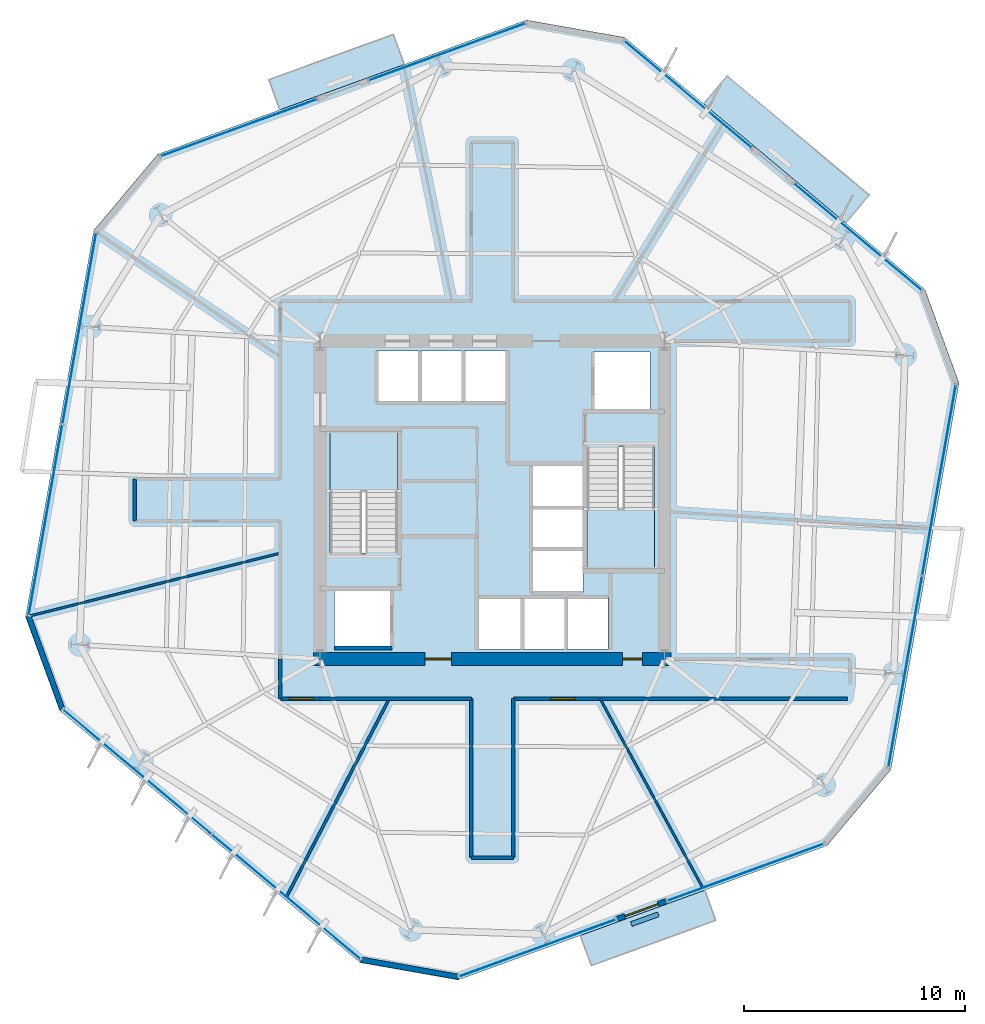
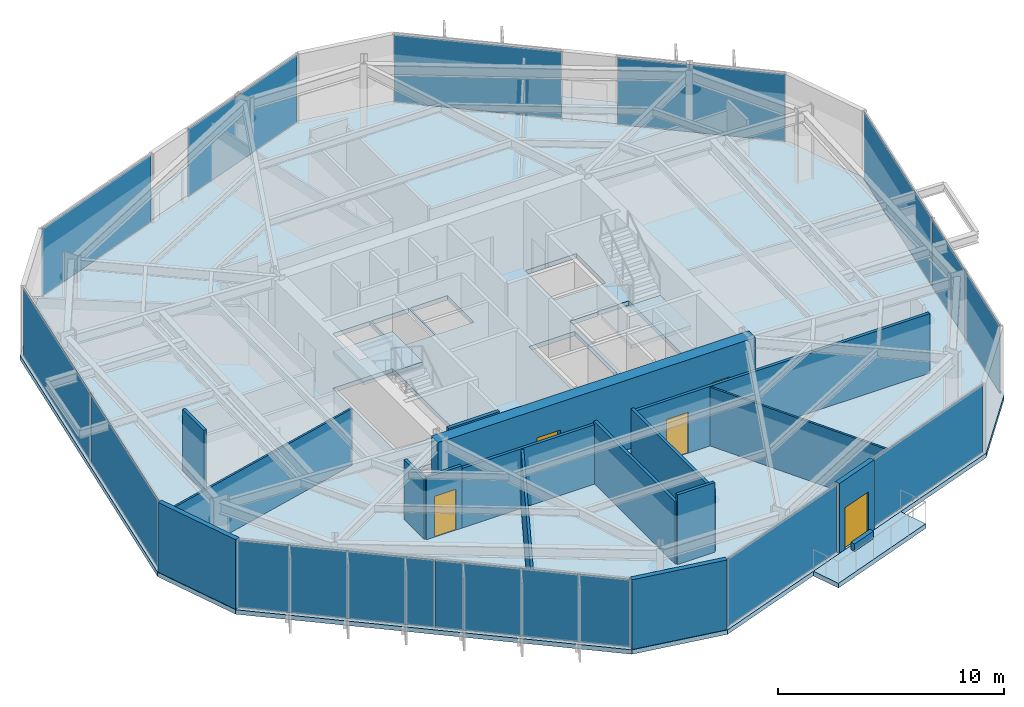
# One storey, part 6 of 13: 17 walls, 12 plates, 6 slabs, 5 doors, 5 openings, 11 elements without a shape of their own.
"""IFC4 building model written with IfcOpenShell, lengths in metres."""

from ifc_helpers import new_model, si_unit, direction, frame, frame_2d, origin, origin_2d, place, context, subcontext, project, spatial, polyline, rectangle, outline, extrude, material, layer, layer_set, type_object, element, fill, aggregate, save


model = new_model("IFC4")

# Units and contexts
model_context = context("Model", 3, precision=1e-05, world=origin(), true_north=direction((0.0, 1.0)))
body_context = subcontext(model_context, "Body", "Model", "MODEL_VIEW")
ifc_project = project(units=[si_unit("LENGTHUNIT", "METRE"), si_unit("AREAUNIT", "SQUARE_METRE"), si_unit("VOLUMEUNIT", "CUBIC_METRE"), si_unit("PLANEANGLEUNIT", "RADIAN"), si_unit("MASSUNIT", "GRAM", prefix="KILO")], contexts=[model_context])

# Site, building, storey
site_placement = place(None, origin())
site = spatial("IfcSite", under=ifc_project, at=site_placement, CompositionType="ELEMENT")
building_placement = place(site_placement, origin())
building = spatial("IfcBuilding", under=site, at=building_placement, Name="Kranzbogen Civic Tower", CompositionType="ELEMENT")
storey_placement = place(building_placement, frame((0.0, 0.0, 102.39990234375)))
storey = spatial("IfcBuildingStorey", under=building, at=storey_placement, Name="L24", CompositionType="ELEMENT", Elevation=102.39990234375)

# Slab
ifc_material_1 = material(Name="Concrete C40/50", Category="concrete")
ifc_layer_1 = layer(ifc_material_1, 0.239990234375, Name="Concrete C40/50")
ifc_layer_set_1 = layer_set([ifc_layer_1], Name="Concrete C40/50")
slab_type_1 = type_object("IfcSlabType", Name="Composite Lower Tower Floor Slab 240 mm", PredefinedType="FLOOR", material=ifc_layer_set_1)
slab_1_placement = place(storey_placement, frame((0.0, 0.0, -0.239990234375)))
element("IfcSlab", 1, at=slab_1_placement, inside=storey, type_object=slab_type_1, Name="L24 tower floor slab", PredefinedType="FLOOR", context=body_context, shape_type="SweptSolid", body=[
    extrude(outline(polyline([(44.60302734375, 34.529052734375), (30.97998046875, 45.958984375), (26.549072265625, 46.740966796875), (9.839111328125, 40.658935546875), (6.946044921875, 37.2119140625), (3.85791015625, 19.698974609375), (5.39697265625, 15.470947265625), (19.02001953125, 4.041015625), (23.450927734375, 3.259033203125), (40.160888671875, 9.341064453125), (43.053955078125, 12.7880859375), (46.14208984375, 30.301025390625), (44.60302734375, 34.529052734375)]), holes=[polyline([(26.300048828125, 20.60009765625), (26.300048828125, 18.25), (24.39990234375, 18.25), (24.39990234375, 20.60009765625), (26.300048828125, 20.60009765625)]), polyline([(28.27490234375, 18.25), (26.375, 18.25), (26.375, 20.60009765625), (28.27490234375, 20.60009765625), (28.27490234375, 18.25)]), polyline([(20.449951171875, 18.300048828125), (17.85009765625, 18.300048828125), (17.85009765625, 20.89990234375), (20.449951171875, 20.89990234375), (20.449951171875, 18.300048828125)]), polyline([(20.699951171875, 22.659912109375), (19.25, 22.659912109375), (19.25, 22.60009765625), (17.64990234375, 22.60009765625), (17.64990234375, 28.10009765625), (20.699951171875, 28.10009765625), (20.699951171875, 22.659912109375)]), polyline([(21.64990234375, 29.39990234375), (19.75, 29.39990234375), (19.75, 31.75), (21.64990234375, 31.75), (21.64990234375, 29.39990234375)]), polyline([(23.625, 29.39990234375), (21.72509765625, 29.39990234375), (21.72509765625, 31.75), (23.625, 31.75), (23.625, 29.39990234375)]), polyline([(25.60009765625, 31.75), (25.60009765625, 29.39990234375), (23.699951171875, 29.39990234375), (23.699951171875, 31.75), (25.60009765625, 31.75)]), polyline([(30.25, 18.25), (28.35009765625, 18.25), (28.35009765625, 20.60009765625), (30.25, 20.60009765625), (30.25, 18.25)]), polyline([(29.10009765625, 20.800048828125), (26.75, 20.800048828125), (26.75, 22.699951171875), (29.10009765625, 22.699951171875), (29.10009765625, 20.800048828125)]), polyline([(26.75, 26.550048828125), (29.10009765625, 26.550048828125), (29.10009765625, 24.675048828125), (29.10009765625, 24.64990234375), (29.10009765625, 22.77490234375), (26.75, 22.77490234375), (26.75, 24.64990234375), (26.75, 24.675048828125), (26.75, 26.550048828125)]), polyline([(30.75, 27.340087890625), (30.75, 27.39990234375), (32.35009765625, 27.39990234375), (32.35009765625, 21.89990234375), (29.300048828125, 21.89990234375), (29.300048828125, 27.340087890625), (30.75, 27.340087890625)]), polyline([(32.14990234375, 29.10009765625), (29.550048828125, 29.10009765625), (29.550048828125, 31.699951171875), (32.14990234375, 31.699951171875), (32.14990234375, 29.10009765625)])]), origin(), (0.0, 0.0, 1.0), 0.239990234375),
])

# Curtain wall, plate
ifc_material_2 = material(Name="Pale Anodised Aluminium", Category="aluminium")
ifc_layer_2 = layer(ifc_material_2, 0.219970703125, Name="Pale Anodised Aluminium")
ifc_layer_set_2 = layer_set([ifc_layer_2], Name="Pale Anodised Aluminium")
curtain_wall_type = type_object("IfcCurtainWallType", Name="Zone 2 Stick Curtain Wall System CW-03", PredefinedType="USERDEFINED", material=ifc_layer_set_2)
curtain_wall_1_placement = place(storey_placement, origin())
curtain_wall_1 = element("IfcCurtainWall", 2, at=curtain_wall_1_placement, inside=storey, type_object=curtain_wall_type, Name="L24 curtain wall CW-L24-F1-S1", ObjectType="STICK CURTAIN WALL", PredefinedType="USERDEFINED")
ifc_material_3 = material(Name="Low-E Triple Glazing Glass", Category="glass")
ifc_layer_3 = layer(ifc_material_3, 0.031982421875, Name="Low-E Triple Glazing Glass")
ifc_layer_set_3 = layer_set([ifc_layer_3], Name="Low-E Triple Glazing Glass")
plate_type = type_object("IfcPlateType", Name="Insulated Low-E Glazing Panel 32 mm", PredefinedType="CURTAIN_PANEL", material=ifc_layer_set_3)
plate_1_placement = place(storey_placement, frame((41.552490234375, 36.92138671875, 0.06005859375), z_axis=(0.0, 0.0, 1.0), x_axis=(-0.76610208204, 0.64271891204, 0.0)))
plate_1 = element("IfcPlate", 3, at=plate_1_placement, type_object=plate_type, Name="CW-03 panel 1.1", PredefinedType="CURTAIN_PANEL", context=body_context, shape_type="SweptSolid", body=[
    extrude(rectangle(XDim=7.5146484375, YDim=0.028076171875, at=origin_2d()), origin(), (0.0, 0.0, 1.0), 3.639892578125),
])
aggregate(curtain_wall_1, [plate_1])

curtain_wall_2_placement = place(storey_placement, origin())
curtain_wall_2 = element("IfcCurtainWall", 4, at=curtain_wall_2_placement, inside=storey, type_object=curtain_wall_type, Name="L24 curtain wall CW-L24-F1-S2", ObjectType="STICK CURTAIN WALL", PredefinedType="USERDEFINED")
plate_2_placement = place(storey_placement, frame((33.865478515625, 43.37109375, 0.06005859375), z_axis=(0.0, 0.0, 1.0), x_axis=(-0.766058348391, 0.642771037665, 0.0)))
plate_2 = element("IfcPlate", 5, at=plate_2_placement, type_object=plate_type, Name="CW-03 panel 1.1", PredefinedType="CURTAIN_PANEL", context=body_context, shape_type="SweptSolid", body=[
    extrude(rectangle(XDim=7.5126953125, YDim=0.028076171875, at=origin_2d()), origin(), (0.0, 0.0, 1.0), 3.639892578125),
])
aggregate(curtain_wall_2, [plate_2])

curtain_wall_3_placement = place(storey_placement, origin())
curtain_wall_3 = element("IfcCurtainWall", 6, at=curtain_wall_3_placement, inside=storey, type_object=curtain_wall_type, Name="L24 curtain wall CW-L24-F2-S1", ObjectType="STICK CURTAIN WALL", PredefinedType="USERDEFINED")
plate_3_placement = place(storey_placement, frame((22.951904296875, 45.29541015625, 0.06005859375), z_axis=(0.0, 0.0, 1.0), x_axis=(-0.93969777606, -0.342005978993, 0.0)))
plate_3 = element("IfcPlate", 7, at=plate_3_placement, type_object=plate_type, Name="CW-03 panel 1.1", PredefinedType="CURTAIN_PANEL", context=body_context, shape_type="SweptSolid", body=[
    extrude(rectangle(XDim=7.514404296875, YDim=0.028076171875, at=origin_2d()), origin(), (0.0, 0.0, 1.0), 3.639892578125),
])
aggregate(curtain_wall_3, [plate_3])

curtain_wall_4_placement = place(storey_placement, origin())
curtain_wall_4 = element("IfcCurtainWall", 8, at=curtain_wall_4_placement, inside=storey, type_object=curtain_wall_type, Name="L24 curtain wall CW-L24-F2-S2", ObjectType="STICK CURTAIN WALL", PredefinedType="USERDEFINED")
plate_4_placement = place(storey_placement, frame((13.52294921875, 41.863525390625, 0.06005859375), z_axis=(0.0, 0.0, 1.0), x_axis=(-0.93969777606, -0.342005978993, 0.0)))
plate_4 = element("IfcPlate", 9, at=plate_4_placement, type_object=plate_type, Name="CW-03 panel 1.1", PredefinedType="CURTAIN_PANEL", context=body_context, shape_type="SweptSolid", body=[
    extrude(rectangle(XDim=7.514404296875, YDim=0.028076171875, at=origin_2d()), origin(), (0.0, 0.0, 1.0), 3.639892578125),
])
aggregate(curtain_wall_4, [plate_4])

# Curtain wall, plates
curtain_wall_5_placement = place(storey_placement, origin())
curtain_wall_5 = element("IfcCurtainWall", 10, at=curtain_wall_5_placement, inside=storey, type_object=curtain_wall_type, Name="L24 curtain wall CW-L24-F3", ObjectType="STICK CURTAIN WALL", PredefinedType="USERDEFINED")
plate_5_placement = place(storey_placement, frame((6.29248046875, 32.76904296875, 0.06005859375), z_axis=(0.0, 0.0, 1.0), x_axis=(-0.173633588769, -0.984810325317, 0.0)))
plate_5 = element("IfcPlate", 11, at=plate_5_placement, type_object=plate_type, Name="CW-03 panel 1.1", PredefinedType="CURTAIN_PANEL", context=body_context, shape_type="SweptSolid", body=[
    extrude(rectangle(XDim=8.74462890625, YDim=0.028076171875, at=origin_2d()), origin(), (0.0, 0.0, 1.0), 3.639892578125),
])
plate_6_placement = place(storey_placement, frame((4.763671875, 24.097900390625, 0.06005859375), z_axis=(0.0, 0.0, 1.0), x_axis=(-0.173633588769, -0.984810325317, 0.0)))
plate_6 = element("IfcPlate", 12, at=plate_6_placement, type_object=plate_type, Name="CW-03 panel 2.1", PredefinedType="CURTAIN_PANEL", context=body_context, shape_type="SweptSolid", body=[
    extrude(rectangle(XDim=8.74462890625, YDim=0.028076171875, at=origin_2d()), origin(), (0.0, 0.0, 1.0), 3.639892578125),
])
aggregate(curtain_wall_5, [plate_5, plate_6])

curtain_wall_6_placement = place(storey_placement, origin())
curtain_wall_6 = element("IfcCurtainWall", 13, at=curtain_wall_6_placement, inside=storey, type_object=curtain_wall_type, Name="L24 curtain wall CW-L24-F4", ObjectType="STICK CURTAIN WALL", PredefinedType="USERDEFINED")
plate_7_placement = place(storey_placement, frame((8.918212890625, 12.683349609375, 0.06005859375), z_axis=(0.0, 0.0, 1.0), x_axis=(0.766078262481, -0.642747303187, 0.0)))
plate_7 = element("IfcPlate", 14, at=plate_7_placement, type_object=plate_type, Name="CW-03 panel 1.1", PredefinedType="CURTAIN_PANEL", context=body_context, shape_type="SweptSolid", body=[
    extrude(rectangle(XDim=8.743896484375, YDim=0.028076171875, at=origin_2d()), origin(), (0.0, 0.0, 1.0), 3.639892578125),
])
plate_8_placement = place(storey_placement, frame((15.662841796875, 7.024658203125, 0.06005859375), z_axis=(0.0, 0.0, 1.0), x_axis=(0.766078262481, -0.642747303187, 0.0)))
plate_8 = element("IfcPlate", 15, at=plate_8_placement, type_object=plate_type, Name="CW-03 panel 2.1", PredefinedType="CURTAIN_PANEL", context=body_context, shape_type="SweptSolid", body=[
    extrude(rectangle(XDim=8.743896484375, YDim=0.028076171875, at=origin_2d()), origin(), (0.0, 0.0, 1.0), 3.639892578125),
])
aggregate(curtain_wall_6, [plate_7, plate_8])

# Curtain wall, plate
curtain_wall_7_placement = place(storey_placement, origin())
curtain_wall_7 = element("IfcCurtainWall", 16, at=curtain_wall_7_placement, inside=storey, type_object=curtain_wall_type, Name="L24 curtain wall CW-L24-F5-S1", ObjectType="STICK CURTAIN WALL", PredefinedType="USERDEFINED")
plate_9_placement = place(storey_placement, frame((27.048095703125, 4.70458984375, 0.06005859375), z_axis=(0.0, 0.0, 1.0), x_axis=(0.93969777606, 0.342005978993, 0.0)))
plate_9 = element("IfcPlate", 17, at=plate_9_placement, type_object=plate_type, Name="CW-03 panel 1.1", PredefinedType="CURTAIN_PANEL", context=body_context, shape_type="SweptSolid", body=[
    extrude(rectangle(XDim=7.514404296875, YDim=0.028076171875, at=origin_2d()), origin(), (0.0, 0.0, 1.0), 3.639892578125),
])
aggregate(curtain_wall_7, [plate_9])

curtain_wall_8_placement = place(storey_placement, origin())
curtain_wall_8 = element("IfcCurtainWall", 18, at=curtain_wall_8_placement, inside=storey, type_object=curtain_wall_type, Name="L24 curtain wall CW-L24-F5-S2", ObjectType="STICK CURTAIN WALL", PredefinedType="USERDEFINED")
plate_10_placement = place(storey_placement, frame((36.47705078125, 8.136474609375, 0.06005859375), z_axis=(0.0, 0.0, 1.0), x_axis=(0.93969777606, 0.342005978993, 0.0)))
plate_10 = element("IfcPlate", 19, at=plate_10_placement, type_object=plate_type, Name="CW-03 panel 1.1", PredefinedType="CURTAIN_PANEL", context=body_context, shape_type="SweptSolid", body=[
    extrude(rectangle(XDim=7.514404296875, YDim=0.028076171875, at=origin_2d()), origin(), (0.0, 0.0, 1.0), 3.639892578125),
])
aggregate(curtain_wall_8, [plate_10])

# Curtain wall, plates
curtain_wall_9_placement = place(storey_placement, origin())
curtain_wall_9 = element("IfcCurtainWall", 20, at=curtain_wall_9_placement, inside=storey, type_object=curtain_wall_type, Name="L24 curtain wall CW-L24-F6", ObjectType="STICK CURTAIN WALL", PredefinedType="USERDEFINED")
plate_11_placement = place(storey_placement, frame((43.70751953125, 17.23095703125, 0.06005859375), z_axis=(0.0, 0.0, 1.0), x_axis=(0.173633588769, 0.984810325317, 0.0)))
plate_11 = element("IfcPlate", 21, at=plate_11_placement, type_object=plate_type, Name="CW-03 panel 1.1", PredefinedType="CURTAIN_PANEL", context=body_context, shape_type="SweptSolid", body=[
    extrude(rectangle(XDim=8.74462890625, YDim=0.028076171875, at=origin_2d()), origin(), (0.0, 0.0, 1.0), 3.639892578125),
])
plate_12_placement = place(storey_placement, frame((45.236328125, 25.902099609375, 0.06005859375), z_axis=(0.0, 0.0, 1.0), x_axis=(0.173633588769, 0.984810325317, 0.0)))
plate_12 = element("IfcPlate", 22, at=plate_12_placement, type_object=plate_type, Name="CW-03 panel 2.1", PredefinedType="CURTAIN_PANEL", context=body_context, shape_type="SweptSolid", body=[
    extrude(rectangle(XDim=8.74462890625, YDim=0.028076171875, at=origin_2d()), origin(), (0.0, 0.0, 1.0), 3.639892578125),
])
aggregate(curtain_wall_9, [plate_11, plate_12])

# Stair, slab
ifc_material_4 = material(Name="Precast concrete C40/50", Category="concrete")
stair_type_1 = type_object("IfcStairType", Name="Tower Core Pressurized Dogleg Stair 1450", PredefinedType="HALF_TURN_STAIR", material=ifc_material_4)
stair_1_placement = place(storey_placement, origin())
stair_1 = element("IfcStair", 23, at=stair_1_placement, inside=storey, type_object=stair_type_1, Name="L24 Tower Core Pressurized Stair 1", PredefinedType="HALF_TURN_STAIR")
ifc_layer_4 = layer(ifc_material_4, 0.199951171875, Name="Precast concrete C40/50")
ifc_layer_set_4 = layer_set([ifc_layer_4], Name="Precast concrete C40/50")
slab_type_2 = type_object("IfcSlabType", Name="Precast Concrete Stair Landing Slab 200 mm", PredefinedType="LANDING", material=ifc_layer_set_4)
slab_2_placement = place(storey_placement, frame((0.0, 0.0, 1.800048828125)))
slab_2 = element("IfcSlab", 24, at=slab_2_placement, type_object=slab_type_2, Name="ST-T1 landing 1", PredefinedType="LANDING", context=body_context, shape_type="SweptSolid", body=[
    extrude(outline(polyline([(20.699951171875, 25.39990234375), (20.699951171875, 28.10009765625), (17.64990234375, 28.10009765625), (17.64990234375, 25.39990234375), (20.699951171875, 25.39990234375)])), origin(), (0.0, 0.0, 1.0), 0.199951171875),
])
aggregate(stair_1, [slab_2])

stair_type_2 = type_object("IfcStairType", Name="Tower Core Secondary Dogleg Stair 1450", PredefinedType="HALF_TURN_STAIR", material=ifc_material_4)
stair_2_placement = place(storey_placement, origin())
stair_2 = element("IfcStair", 25, at=stair_2_placement, inside=storey, type_object=stair_type_2, Name="L24 Tower Core Pressurized Stair 2", PredefinedType="HALF_TURN_STAIR")
slab_3_placement = place(storey_placement, frame((0.0, 0.0, 1.800048828125)))
slab_3 = element("IfcSlab", 26, at=slab_3_placement, type_object=slab_type_2, Name="ST-T2 landing 1", PredefinedType="LANDING", context=body_context, shape_type="SweptSolid", body=[
    extrude(outline(polyline([(29.300048828125, 24.60009765625), (29.300048828125, 21.89990234375), (32.35009765625, 21.89990234375), (32.35009765625, 24.60009765625), (29.300048828125, 24.60009765625)])), origin(), (0.0, 0.0, 1.0), 0.199951171875),
])
aggregate(stair_2, [slab_3])

# Slabs
ifc_layer_5 = layer(ifc_material_1, 0.280029296875, Name="Concrete C40/50")
ifc_layer_set_5 = layer_set([ifc_layer_5], Name="Concrete C40/50")
slab_type_3 = type_object("IfcSlabType", Name="Spiral Terrace Cantilevered Slab 280 mm", PredefinedType="FLOOR", material=ifc_layer_set_5)
slab_4_placement = place(storey_placement, frame((0.0, 0.0, -0.27978515625)))
element("IfcSlab", 27, at=slab_4_placement, inside=storey, type_object=slab_type_3, Name="L24 cantilevered spiral terrace L24-ST", PredefinedType="FLOOR", context=body_context, shape_type="SweptSolid", body=[
    extrude(outline(polyline([(41.009033203125, 37.544921875), (34.573974609375, 42.944091796875), (35.635009765625, 44.2080078125), (42.070068359375, 38.80908203125), (41.009033203125, 37.544921875)])), origin(), (0.0, 0.0, 1.0), 0.27978515625),
])
ifc_layer_6 = layer(ifc_material_1, 0.25, Name="Concrete C40/50")
ifc_layer_set_6 = layer_set([ifc_layer_6], Name="Concrete C40/50")
slab_type_4 = type_object("IfcSlabType", Name="Tree Balcony Cantilevered Slab 250 mm", PredefinedType="FLOOR", material=ifc_layer_set_6)
slab_5_placement = place(storey_placement, frame((0.0, 0.0, -0.25)))
element("IfcSlab", 28, at=slab_5_placement, inside=storey, type_object=slab_type_4, Name="L24 cantilevered tree balcony L24-TB1", PredefinedType="FLOOR", context=body_context, shape_type="SweptSolid", body=[
    extrude(outline(polyline([(28.987060546875, 5.27392578125), (34.625, 7.325927734375), (35.12109375, 5.962890625), (29.48291015625, 3.910888671875), (28.987060546875, 5.27392578125)])), origin(), (0.0, 0.0, 1.0), 0.25),
])
slab_6_placement = place(storey_placement, frame((0.0, 0.0, -0.25)))
element("IfcSlab", 29, at=slab_6_placement, inside=storey, type_object=slab_type_4, Name="L24 cantilevered tree balcony L24-TB2", PredefinedType="FLOOR", context=body_context, shape_type="SweptSolid", body=[
    extrude(outline(polyline([(21.012939453125, 44.72607421875), (15.375, 42.674072265625), (14.87890625, 44.037109375), (20.51708984375, 46.089111328125), (21.012939453125, 44.72607421875)])), origin(), (0.0, 0.0, 1.0), 0.25),
])

# Wall, opening, door
ifc_material_5 = material(Name="Double-Stud Acoustic Gypsum Partition")
ifc_layer_7 = layer(ifc_material_5, 0.14990234375, Name="Double-Stud Acoustic Gypsum Partition")
ifc_layer_set_7 = layer_set([ifc_layer_7], Name="Double-Stud Acoustic Gypsum Partition")
wall_type_1 = type_object("IfcWallType", Name="Acoustic Corridor and Clinical Partition 150 mm", PredefinedType="PARTITIONING", material=ifc_layer_set_7)
wall_1_placement = place(storey_placement, frame((17.199951171875, 16.0, 0.0), z_axis=(0.0, 0.0, 1.0), x_axis=(-1.0, 0.0, 0.0)))
wall_1 = element("IfcWall", 30, at=wall_1_placement, inside=storey, type_object=wall_type_1, Name="L24 corridor partition 01", PredefinedType="PARTITIONING", context=body_context, shape_type="SweptSolid", body=[
    extrude(rectangle(XDim=1.800048828125, YDim=0.14990234375, at=frame_2d((0.89990234375, 0.0))), origin(), (0.0, 0.0, 1.0), 3.360107421875),
])
opening_1_placement = place(wall_1_placement, frame((0.287109375, 0.0, 0.0)))
opening_1 = element("IfcOpeningElement", 31, at=opening_1_placement, cuts=wall_1, Name="Opening D-COR60", PredefinedType="OPENING", context=body_context, shape_type="SweptSolid", body=[
    extrude(rectangle(XDim=1.10009765625, YDim=2.199951171875, at=frame_2d((0.550048828125, 1.10009765625))), frame((0.0, 0.0849609375, 0.0), z_axis=(0.0, -1.0, 0.0), x_axis=(1.0, 0.0, 0.0)), (0.0, 0.0, 1.0), 0.169921875),
])
ifc_material_6 = material(Name="Oak Timber and Fire Core", Category="wood")
door_type_1 = type_object("IfcDoorType", Name="Corridor Acoustic Fire Door 1100x2200", OperationType="NOTDEFINED", PredefinedType="DOOR", material=ifc_material_6)
door_1_placement = place(opening_1_placement, origin())
door_1 = element("IfcDoor", 32, at=door_1_placement, inside=storey, type_object=door_type_1, Name="L24 Executive Briefing Conference Room door", OperationType="SINGLE_SWING_LEFT", OverallHeight=2.199951171875, OverallWidth=1.10009765625, PredefinedType="DOOR", context=body_context, shape_type="SweptSolid", body=[
    extrude(rectangle(XDim=1.10009765625, YDim=2.199951171875, at=frame_2d((0.550048828125, 1.10009765625))), frame((0.0, 0.02490234375, 0.0), z_axis=(0.0, -1.0, 0.0), x_axis=(1.0, 0.0, 0.0)), (0.0, 0.0, 1.0), 0.050048828125),
])
fill(opening_1, door_1)

# Walls
wall_2_placement = place(storey_placement, frame((15.39990234375, 16.0, 0.0), z_axis=(0.0, 0.0, 1.0), x_axis=(0.0, 1.0, 0.0)))
element("IfcWall", 33, at=wall_2_placement, inside=storey, type_object=wall_type_1, Name="L24 corridor partition 02", PredefinedType="PARTITIONING", context=body_context, shape_type="SweptSolid", body=[
    extrude(rectangle(XDim=1.800048828125, YDim=0.14990234375, at=frame_2d((0.89990234375, 0.0))), origin(), (0.0, 0.0, 1.0), 3.210205078125),
])
wall_3_placement = place(storey_placement, frame((8.800048828125, 24.050048828125, 0.0), z_axis=(0.0, 0.0, 1.0), x_axis=(0.0, 1.0, 0.0)))
element("IfcWall", 34, at=wall_3_placement, inside=storey, type_object=wall_type_1, Name="L24 corridor partition 05", PredefinedType="PARTITIONING", context=body_context, shape_type="SweptSolid", body=[
    extrude(rectangle(XDim=1.89990234375, YDim=0.14990234375, at=frame_2d((0.949951171875, 0.0))), origin(), (0.0, 0.0, 1.0), 3.300048828125),
])

# Wall, opening, door
wall_4_placement = place(storey_placement, frame((41.0869140625, 16.0, 0.0), z_axis=(0.0, 0.0, 1.0), x_axis=(-1.0, 0.0, 0.0)))
wall_4 = element("IfcWall", 35, at=wall_4_placement, inside=storey, type_object=wall_type_1, Name="L24 corridor partition 19", PredefinedType="PARTITIONING", context=body_context, shape_type="SweptSolid", body=[
    extrude(rectangle(XDim=15.136962890625, YDim=0.14990234375, at=frame_2d((7.568359375, 0.0))), origin(), (0.0, 0.0, 1.0), 3.210205078125),
])
opening_2_placement = place(wall_4_placement, frame((12.33203125, 0.0, 0.0)))
opening_2 = element("IfcOpeningElement", 36, at=opening_2_placement, cuts=wall_4, Name="Opening D-COR60", PredefinedType="OPENING", context=body_context, shape_type="SweptSolid", body=[
    extrude(rectangle(XDim=1.10009765625, YDim=2.199951171875, at=frame_2d((0.550048828125, 1.10009765625))), frame((0.0, 0.0849609375, 0.0), z_axis=(0.0, -1.0, 0.0), x_axis=(1.0, 0.0, 0.0)), (0.0, 0.0, 1.0), 0.169921875),
])
door_2_placement = place(opening_2_placement, origin())
door_2 = element("IfcDoor", 37, at=door_2_placement, inside=storey, type_object=door_type_1, Name="L24 Parliamentary Review Boardroom door", OperationType="SINGLE_SWING_RIGHT", OverallHeight=2.199951171875, OverallWidth=1.10009765625, PredefinedType="DOOR", context=body_context, shape_type="SweptSolid", body=[
    extrude(rectangle(XDim=1.10009765625, YDim=2.199951171875, at=frame_2d((0.550048828125, 1.10009765625))), frame((0.0, 0.02490234375, 0.0), z_axis=(0.0, -1.0, 0.0), x_axis=(1.0, 0.0, 0.0)), (0.0, 0.0, 1.0), 0.050048828125),
])
fill(opening_2, door_2)

# Walls
wall_5_placement = place(storey_placement, frame((25.949951171875, 16.0, 0.0), z_axis=(0.0, 0.0, 1.0), x_axis=(0.0, -1.0, 0.0)))
element("IfcWall", 38, at=wall_5_placement, inside=storey, type_object=wall_type_1, Name="L24 corridor partition 20", PredefinedType="PARTITIONING", context=body_context, shape_type="SweptSolid", body=[
    extrude(rectangle(XDim=7.199951171875, YDim=0.14990234375, at=frame_2d((3.60009765625, 0.0))), origin(), (0.0, 0.0, 1.0), 3.360107421875),
])
wall_6_placement = place(storey_placement, frame((25.949951171875, 8.800048828125, 0.0), z_axis=(0.0, 0.0, 1.0), x_axis=(-1.0, 0.0, 0.0)))
element("IfcWall", 39, at=wall_6_placement, inside=storey, type_object=wall_type_1, Name="L24 corridor partition 21", PredefinedType="PARTITIONING", context=body_context, shape_type="SweptSolid", body=[
    extrude(rectangle(XDim=1.89990234375, YDim=0.14990234375, at=frame_2d((0.949951171875, 0.0))), origin(), (0.0, 0.0, 1.0), 3.760009765625),
])
wall_7_placement = place(storey_placement, frame((24.050048828125, 8.800048828125, 0.0), z_axis=(0.0, 0.0, 1.0), x_axis=(0.0, 1.0, 0.0)))
element("IfcWall", 40, at=wall_7_placement, inside=storey, type_object=wall_type_1, Name="L24 corridor partition 22", PredefinedType="PARTITIONING", context=body_context, shape_type="SweptSolid", body=[
    extrude(rectangle(XDim=7.199951171875, YDim=0.14990234375, at=frame_2d((3.60009765625, 0.0))), origin(), (0.0, 0.0, 1.0), 3.360107421875),
])
wall_8_placement = place(storey_placement, frame((24.050048828125, 16.0, 0.0), z_axis=(0.0, 0.0, 1.0), x_axis=(-1.0, 0.0, 0.0)))
element("IfcWall", 41, at=wall_8_placement, inside=storey, type_object=wall_type_1, Name="L24 corridor partition 23", PredefinedType="PARTITIONING", context=body_context, shape_type="SweptSolid", body=[
    extrude(rectangle(XDim=6.85009765625, YDim=0.14990234375, at=frame_2d((3.425048828125, 0.0))), origin(), (0.0, 0.0, 1.0), 3.210205078125),
])
ifc_material_7 = material(Name="Insulated Metal-Stud Gypsum Partition")
ifc_layer_8 = layer(ifc_material_7, 0.125, Name="Insulated Metal-Stud Gypsum Partition")
ifc_layer_set_8 = layer_set([ifc_layer_8], Name="Insulated Metal-Stud Gypsum Partition")
wall_type_2 = type_object("IfcWallType", Name="Acoustic Inter-Room Partition 125 mm", PredefinedType="PARTITIONING", material=ifc_layer_set_8)
wall_9_placement = place(storey_placement, frame((20.3330078125, 16.0, 0.0), z_axis=(0.0, 0.0, 1.0), x_axis=(-0.46022405939, -0.887802801955, 0.0)))
element("IfcWall", 42, at=wall_9_placement, inside=storey, type_object=wall_type_2, Name="L24 radial room partition 05", PredefinedType="PARTITIONING", context=body_context, shape_type="SweptSolid", body=[
    extrude(rectangle(XDim=10.103515625, YDim=0.125, at=frame_2d((5.0517578125, 0.0))), origin(), (0.0, 0.0, 1.0), 3.16015625),
])
ifc_material_8 = material(Name="Architectural Precast Terracotta Concrete C40/50", Category="masonry")
ifc_layer_9 = layer(ifc_material_8, 0.219970703125, Name="Architectural Precast Terracotta Concrete C40/50")
ifc_layer_set_9 = layer_set([ifc_layer_9], Name="Architectural Precast Terracotta Concrete C40/50")
wall_type_3 = type_object("IfcWallType", Name="Architectural Tree Planter Kerb Wall 220 mm", PredefinedType="USERDEFINED", material=ifc_layer_set_9)
wall_10_placement = place(storey_placement, frame((31.299072265625, 5.7919921875, 0.0), z_axis=(0.0, 0.0, 1.0), x_axis=(0.93985371871, 0.341577205661, 0.0)))
element("IfcWall", 43, at=wall_10_placement, inside=storey, type_object=wall_type_3, Name="L24 landscaped tree balcony planter L24-TB1", ObjectType="PLANTER_WALL", PredefinedType="USERDEFINED", context=body_context, shape_type="SweptSolid", body=[
    extrude(rectangle(XDim=1.300048828125, YDim=0.219970703125, at=frame_2d((0.64990234375, 0.0))), origin(), (0.0, 0.0, 1.0), 0.400146484375),
])

# Wall, openings, doors
ifc_material_9 = material(Name="Concrete C55/67", Category="concrete")
ifc_layer_10 = layer(ifc_material_9, 0.60009765625, Name="Concrete C55/67")
ifc_layer_set_10 = layer_set([ifc_layer_10], Name="Concrete C55/67")
wall_type_4 = type_object("IfcWallType", Name="Central Core Shear Wall 600 mm", PredefinedType="SHEAR", material=ifc_layer_set_10)
wall_11_placement = place(storey_placement, frame((16.89990234375, 17.800048828125, 0.0), z_axis=(0.0, 0.0, 1.0), x_axis=(1.0, 0.0, 0.0)))
wall_11 = element("IfcWall", 44, at=wall_11_placement, inside=storey, type_object=wall_type_4, Name="L24 central core South shear wall", PredefinedType="SHEAR", context=body_context, shape_type="SweptSolid", body=[
    extrude(rectangle(XDim=16.2001953125, YDim=0.60009765625, at=frame_2d((8.10009765625, 0.0))), origin(), (0.0, 0.0, 1.0), 3.760009765625),
])
opening_3_placement = place(wall_11_placement, frame((5.050048828125, 0.0, 0.0)))
opening_3 = element("IfcOpeningElement", 45, at=opening_3_placement, cuts=wall_11, Name="Opening D-EX120", PredefinedType="OPENING", context=body_context, shape_type="SweptSolid", body=[
    extrude(rectangle(XDim=1.199951171875, YDim=2.25, at=frame_2d((0.60009765625, 1.125))), frame((0.0, 0.31005859375, 0.0), z_axis=(0.0, -1.0, 0.0), x_axis=(1.0, 0.0, 0.0)), (0.0, 0.0, 1.0), 0.6201171875),
])
opening_4_placement = place(wall_11_placement, frame((14.0, 0.0, 0.0)))
opening_4 = element("IfcOpeningElement", 46, at=opening_4_placement, cuts=wall_11, Name="Opening D-WC90", PredefinedType="OPENING", context=body_context, shape_type="SweptSolid", body=[
    extrude(rectangle(XDim=0.89990234375, YDim=2.10009765625, at=frame_2d((0.449951171875, 1.050048828125))), frame((0.0, 0.31005859375, 0.0), z_axis=(0.0, -1.0, 0.0), x_axis=(1.0, 0.0, 0.0)), (0.0, 0.0, 1.0), 0.6201171875),
])
ifc_material_10 = material(Name="Steel S355", Category="steel")
door_type_2 = type_object("IfcDoorType", Name="Exit Passageway Fire Door 1200x2250", OperationType="NOTDEFINED", PredefinedType="DOOR", material=ifc_material_10)
door_3_placement = place(opening_3_placement, origin())
door_3 = element("IfcDoor", 47, at=door_3_placement, inside=storey, type_object=door_type_2, Name="L24 West firefighting lobby corridor door", OperationType="SINGLE_SWING_RIGHT", OverallHeight=2.25, OverallWidth=1.199951171875, PredefinedType="DOOR", context=body_context, shape_type="SweptSolid", body=[
    extrude(rectangle(XDim=1.199951171875, YDim=2.25, at=frame_2d((0.60009765625, 1.125))), frame((0.0, 0.02490234375, 0.0), z_axis=(0.0, -1.0, 0.0), x_axis=(1.0, 0.0, 0.0)), (0.0, 0.0, 1.0), 0.050048828125),
])
fill(opening_3, door_3)
ifc_material_11 = material(Name="Moisture-Resistant Laminate")
door_type_3 = type_object("IfcDoorType", Name="Standard Restroom and Store Door 900x2100", OperationType="NOTDEFINED", PredefinedType="DOOR", material=ifc_material_11)
door_4_placement = place(opening_4_placement, origin())
door_4 = element("IfcDoor", 48, at=door_4_placement, inside=storey, type_object=door_type_3, Name="L24 East electrical riser access door", OperationType="SINGLE_SWING_RIGHT", OverallHeight=2.10009765625, OverallWidth=0.89990234375, PredefinedType="DOOR", context=body_context, shape_type="SweptSolid", body=[
    extrude(rectangle(XDim=0.89990234375, YDim=2.10009765625, at=frame_2d((0.449951171875, 1.050048828125))), frame((0.0, 0.02490234375, 0.0), z_axis=(0.0, -1.0, 0.0), x_axis=(1.0, 0.0, 0.0)), (0.0, 0.0, 1.0), 0.050048828125),
])
fill(opening_4, door_4)

# Walls
ifc_material_12 = material(Name="Demountable Aluminium and Gypsum Partition", Category="aluminium")
ifc_layer_11 = layer(ifc_material_12, 0.10009765625, Name="Demountable Aluminium and Gypsum Partition")
ifc_layer_set_11 = layer_set([ifc_layer_11], Name="Demountable Aluminium and Gypsum Partition")
wall_type_5 = type_object("IfcWallType", Name="Demountable Office Partition 100 mm", PredefinedType="MOVABLE", material=ifc_layer_set_11)
wall_12_placement = place(storey_placement, frame((15.39990234375, 22.593017578125, 0.0), z_axis=(0.0, 0.0, 1.0), x_axis=(-0.969982044696, -0.243176546911, 0.0)))
element("IfcWall", 49, at=wall_12_placement, inside=storey, type_object=wall_type_5, Name="L24 radial room partition 04", PredefinedType="MOVABLE", context=body_context, shape_type="SweptSolid", body=[
    extrude(rectangle(XDim=11.740478515625, YDim=0.10009765625, at=frame_2d((5.8701171875, 0.0))), origin(), (0.0, 0.0, 1.0), 3.050048828125),
])
wall_13_placement = place(storey_placement, frame((29.884033203125, 16.0, 0.0), z_axis=(0.0, 0.0, 1.0), x_axis=(0.477009387534, -0.878898199, 0.0)))
element("IfcWall", 50, at=wall_13_placement, inside=storey, type_object=wall_type_5, Name="L24 radial room partition 06", PredefinedType="MOVABLE", context=body_context, shape_type="SweptSolid", body=[
    extrude(rectangle(XDim=9.733642578125, YDim=0.10009765625, at=frame_2d((4.86669921875, 0.0))), origin(), (0.0, 0.0, 1.0), 3.16015625),
])
ifc_material_13 = material(Name="Gypsum Fireboard Shaftliner")
ifc_layer_12 = layer(ifc_material_13, 0.175048828125, Name="Gypsum Fireboard Shaftliner")
ifc_layer_set_12 = layer_set([ifc_layer_12], Name="Gypsum Fireboard Shaftliner")
wall_type_6 = type_object("IfcWallType", Name="Fire-Rated Lift and Service Shaft Wall 175 mm", PredefinedType="PARTITIONING", material=ifc_layer_set_12)
wall_14_placement = place(storey_placement, frame((17.85009765625, 18.300048828125, 0.0), z_axis=(0.0, 0.0, 1.0), x_axis=(1.0, 0.0, 0.0)))
element("IfcWall", 51, at=wall_14_placement, inside=storey, type_object=wall_type_6, Name="L24 lift FF-01 side wall", PredefinedType="PARTITIONING", context=body_context, shape_type="SweptSolid", body=[
    extrude(rectangle(XDim=2.599853515625, YDim=0.175048828125, at=frame_2d((1.2998046875, 0.0))), origin(), (0.0, 0.0, 1.0), 3.760009765625),
])
ifc_layer_13 = layer(ifc_material_2, 0.239990234375, Name="Pale Anodised Aluminium")
ifc_layer_set_13 = layer_set([ifc_layer_13], Name="Pale Anodised Aluminium")
wall_type_7 = type_object("IfcWallType", Name="Insulated Aluminium Facade Portal Wall 240 mm", PredefinedType="STANDARD", material=ifc_layer_set_13)
wall_15_placement = place(storey_placement, frame((3.993896484375, 19.73291015625, 0.0), z_axis=(0.0, 0.0, 1.0), x_axis=(0.342028060457, -0.939689739148, 0.0)))
element("IfcWall", 52, at=wall_15_placement, inside=storey, type_object=wall_type_7, Name="L24 chamfered corner facade spandrel 3", PredefinedType="STANDARD", context=body_context, shape_type="SweptSolid", body=[
    extrude(rectangle(XDim=4.470458984375, YDim=0.239990234375, at=frame_2d((2.2353515625, 0.0))), origin(), (0.0, 0.0, 1.0), 3.760009765625),
])
wall_16_placement = place(storey_placement, frame((19.05810546875, 4.176025390625, 0.0), z_axis=(0.0, 0.0, 1.0), x_axis=(0.984778610825, -0.173813370204, 0.0)))
element("IfcWall", 53, at=wall_16_placement, inside=storey, type_object=wall_type_7, Name="L24 chamfered corner facade spandrel 4", PredefinedType="STANDARD", context=body_context, shape_type="SweptSolid", body=[
    extrude(rectangle(XDim=4.470947265625, YDim=0.239990234375, at=frame_2d((2.2353515625, 0.0))), origin(), (0.0, 0.0, 1.0), 3.760009765625),
])

# Wall, opening, door
wall_17_placement = place(storey_placement, frame((30.635009765625, 6.010009765625, 0.0), z_axis=(0.0, 0.0, 1.0), x_axis=(0.939647786753, 0.342143298706, 0.0)))
wall_17 = element("IfcWall", 54, at=wall_17_placement, inside=storey, type_object=wall_type_7, Name="L24 exterior entrance portal wall 1", PredefinedType="STANDARD", context=body_context, shape_type="SweptSolid", body=[
    extrude(rectangle(XDim=2.399658203125, YDim=0.239990234375, at=frame_2d((1.19970703125, 0.0))), origin(), (0.0, 0.0, 1.0), 3.760009765625),
])
opening_5_placement = place(wall_17_placement, frame((0.39990234375, 0.0, 0.0)))
opening_5 = element("IfcOpeningElement", 55, at=opening_5_placement, cuts=wall_17, Name="Opening D-TER", PredefinedType="OPENING", context=body_context, shape_type="SweptSolid", body=[
    extrude(rectangle(XDim=1.60009765625, YDim=2.25, at=frame_2d((0.800048828125, 1.125))), frame((0.0, 0.1298828125, 0.0), z_axis=(0.0, -1.0, 0.0), x_axis=(1.0, 0.0, 0.0)), (0.0, 0.0, 1.0), 0.260009765625),
])
ifc_material_14 = material(Name="Anodised Bronze and Triple Glass", Category="glass")
door_type_4 = type_object("IfcDoorType", Name="Glazed Terrace and Balcony Double Door 1600x2250", OperationType="DOUBLE_DOOR_SINGLE_SWING", PredefinedType="DOOR", material=ifc_material_14)
door_5_placement = place(opening_5_placement, frame((1.60009765625, 0.0, 0.0), z_axis=(0.0, 0.0, 1.0), x_axis=(-1.0, 0.0, 0.0)))
door_5 = element("IfcDoor", 56, at=door_5_placement, inside=storey, type_object=door_type_4, Name="L24 tree balcony access door L24-TB1", OperationType="DOUBLE_DOOR_SINGLE_SWING", OverallHeight=2.25, OverallWidth=1.60009765625, PredefinedType="DOOR", context=body_context, shape_type="SweptSolid", body=[
    extrude(rectangle(XDim=1.60009765625, YDim=2.25, at=frame_2d((0.800048828125, 1.125))), frame((0.0, 0.02490234375, 0.0), z_axis=(0.0, -1.0, 0.0), x_axis=(1.0, 0.0, 0.0)), (0.0, 0.0, 1.0), 0.050048828125),
])
fill(opening_5, door_5)

save(model, "model.ifc")
